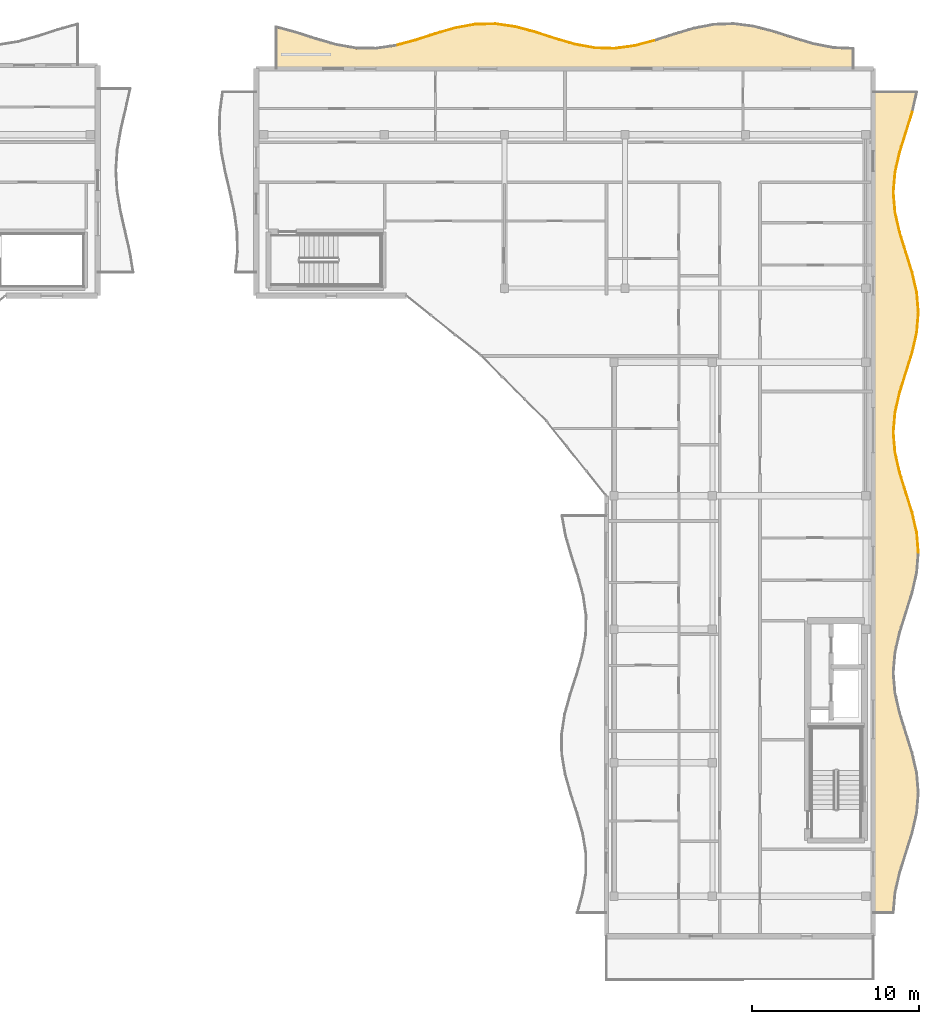
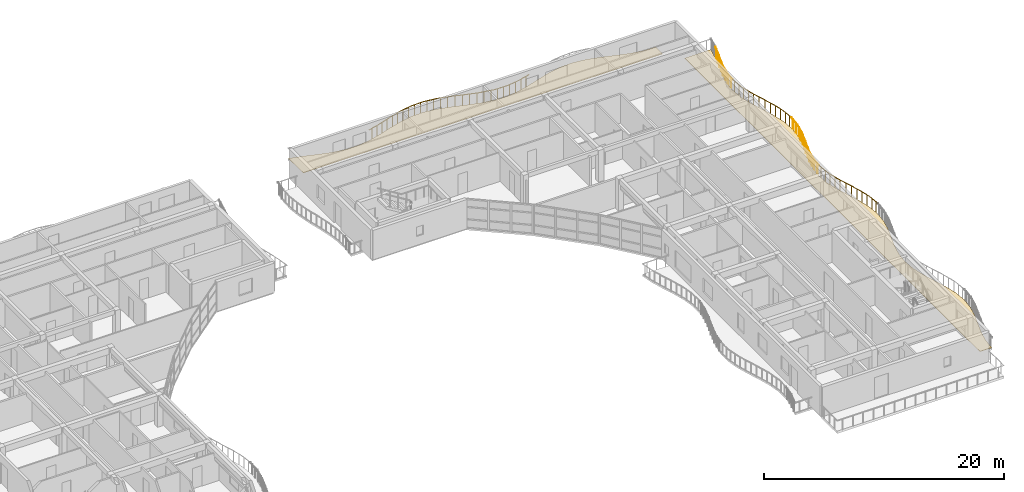
# One storey, part 29 of 30: 35 railings, 2 coverings.
"""IFC4 building model written with IfcOpenShell, lengths in metres."""

from ifc_helpers import new_model, si_unit, direction, frame, origin, origin_2d, place, context, subcontext, project, spatial, polyline, circle, outline, extrude, material, layer, layer_set, type_object, element, save


model = new_model("IFC4")

# Units and contexts
model_context = context("Model", 3, precision=1e-05, world=origin(), true_north=direction((0.0, 1.0)))
body_context = subcontext(model_context, "Body", "Model", "MODEL_VIEW")
ifc_project = project(units=[si_unit("LENGTHUNIT", "METRE"), si_unit("AREAUNIT", "SQUARE_METRE"), si_unit("VOLUMEUNIT", "CUBIC_METRE"), si_unit("PLANEANGLEUNIT", "RADIAN"), si_unit("MASSUNIT", "GRAM", prefix="KILO")], contexts=[model_context])

# Site, building, storey
site_placement = place(None, origin())
site = spatial("IfcSite", under=ifc_project, at=site_placement, CompositionType="ELEMENT")
building_placement = place(site_placement, origin())
building = spatial("IfcBuilding", under=site, at=building_placement, Name="Keldmere Railside Commons", CompositionType="ELEMENT")
storey_placement = place(building_placement, frame((0.0, 0.0, 36.159912109375)))
storey = spatial("IfcBuildingStorey", under=building, at=storey_placement, Name="L11", CompositionType="ELEMENT", Elevation=36.159912109375)

# Railings
ifc_material_1 = material(Name="Steel F-24 (S235)", Category="steel")
railing_type = type_object("IfcRailingType", Name="Balcony & Terrace Steel Balustrade 1100", PredefinedType="BALUSTRADE", material=ifc_material_1)
railing_1_placement = place(storey_placement, frame((155.358642578125, 114.989990234375, 0.0)))
element("IfcRailing", 1, at=railing_1_placement, inside=storey, type_object=railing_type, Name="GR-1 GRD-L11-4441", PredefinedType="BALUSTRADE", context=body_context, shape_type="SweptSolid", body=[
    extrude(circle(Radius=0.02392578125, at=origin_2d()), frame((0.0, 0.0, 1.076171875), z_axis=(0.965353979564, 0.260943852467, 0.0), x_axis=(-0.260943852467, 0.965353979564, 0.0)), (0.0, 0.0, 1.0), 1.23583984375),
    extrude(circle(Radius=0.02099609375, at=origin_2d()), frame((0.29833984375, 0.08056640625, 0.0)), (0.0, 0.0, 1.0), 1.048095703125),
    extrude(circle(Radius=0.02099609375, at=origin_2d()), frame((0.894775390625, 0.241943359375, 0.0)), (0.0, 0.0, 1.0), 1.048095703125),
])
railing_2_placement = place(storey_placement, frame((156.5517578125, 115.3125, 0.0)))
element("IfcRailing", 2, at=railing_2_placement, inside=storey, type_object=railing_type, Name="GR-1 GRD-L11-4442", PredefinedType="BALUSTRADE", context=body_context, shape_type="SweptSolid", body=[
    extrude(circle(Radius=0.02392578125, at=origin_2d()), frame((0.0, 0.0, 1.076171875), z_axis=(0.951620484383, 0.307275859291, 0.0), x_axis=(-0.307275859291, 0.951620484383, 0.0)), (0.0, 0.0, 1.0), 1.253662109375),
    extrude(circle(Radius=0.02099609375, at=origin_2d()), frame((0.29833984375, 0.09619140625, 0.0)), (0.0, 0.0, 1.0), 1.048095703125),
    extrude(circle(Radius=0.02099609375, at=origin_2d()), frame((0.894775390625, 0.2890625, 0.0)), (0.0, 0.0, 1.0), 1.048095703125),
])
railing_3_placement = place(storey_placement, frame((157.744873046875, 115.69775390625, 0.0)))
element("IfcRailing", 3, at=railing_3_placement, inside=storey, type_object=railing_type, Name="GR-1 GRD-L11-4443", PredefinedType="BALUSTRADE", context=body_context, shape_type="SweptSolid", body=[
    extrude(circle(Radius=0.02392578125, at=origin_2d()), frame((0.0, 0.0, 1.076171875), z_axis=(0.960388650169, 0.278664028226, 0.0), x_axis=(-0.278664028226, 0.960388650169, 0.0)), (0.0, 0.0, 1.0), 1.242431640625),
    extrude(circle(Radius=0.02099609375, at=origin_2d()), frame((0.29833984375, 0.08642578125, 0.0)), (0.0, 0.0, 1.0), 1.048095703125),
    extrude(circle(Radius=0.02099609375, at=origin_2d()), frame((0.894775390625, 0.259765625, 0.0)), (0.0, 0.0, 1.0), 1.048095703125),
])
railing_4_placement = place(storey_placement, frame((158.93798828125, 116.0439453125, 0.0)))
element("IfcRailing", 4, at=railing_4_placement, inside=storey, type_object=railing_type, Name="GR-1 GRD-L11-4444", PredefinedType="BALUSTRADE", context=body_context, shape_type="SweptSolid", body=[
    extrude(circle(Radius=0.02392578125, at=origin_2d()), frame((0.0, 0.0, 1.076171875), z_axis=(0.984101062435, 0.17760939985, 0.0), x_axis=(-0.17760939985, 0.984101062435, 0.0)), (0.0, 0.0, 1.0), 1.21240234375),
    extrude(circle(Radius=0.02099609375, at=origin_2d()), frame((0.29833984375, 0.0537109375, 0.0)), (0.0, 0.0, 1.0), 1.048095703125),
    extrude(circle(Radius=0.02099609375, at=origin_2d()), frame((0.894775390625, 0.16162109375, 0.0)), (0.0, 0.0, 1.0), 1.048095703125),
])
railing_5_placement = place(storey_placement, frame((160.131103515625, 116.25927734375, 0.0)))
element("IfcRailing", 5, at=railing_5_placement, inside=storey, type_object=railing_type, Name="GR-1 GRD-L11-4445", PredefinedType="BALUSTRADE", context=body_context, shape_type="SweptSolid", body=[
    extrude(circle(Radius=0.02392578125, at=origin_2d()), frame((0.0, 0.0, 1.076171875), z_axis=(0.999737487291, 0.022911929318, 0.0), x_axis=(-0.022911929318, 0.999737487291, 0.0)), (0.0, 0.0, 1.0), 1.193359375),
    extrude(circle(Radius=0.02099609375, at=origin_2d()), frame((0.29833984375, 0.0068359375, 0.0)), (0.0, 0.0, 1.0), 1.048095703125),
    extrude(circle(Radius=0.02099609375, at=origin_2d()), frame((0.894775390625, 0.0205078125, 0.0)), (0.0, 0.0, 1.0), 1.048095703125),
])
railing_6_placement = place(storey_placement, frame((161.32421875, 116.28662109375, 0.0)))
element("IfcRailing", 6, at=railing_6_placement, inside=storey, type_object=railing_type, Name="GR-1 GRD-L11-4446", PredefinedType="BALUSTRADE", context=body_context, shape_type="SweptSolid", body=[
    extrude(circle(Radius=0.02392578125, at=origin_2d()), frame((0.0, 0.0, 1.076171875), z_axis=(0.990259198804, -0.139236199259, 0.0), x_axis=(0.139236199259, 0.990259198804, 0.0)), (0.0, 0.0, 1.0), 1.20458984375),
    extrude(circle(Radius=0.02099609375, at=origin_2d()), frame((0.29833984375, -0.0419921875, 0.0)), (0.0, 0.0, 1.0), 1.048095703125),
    extrude(circle(Radius=0.02099609375, at=origin_2d()), frame((0.89453125, -0.125732421875, 0.0)), (0.0, 0.0, 1.0), 1.048095703125),
])
railing_7_placement = place(storey_placement, frame((162.51708984375, 116.118896484375, 0.0)))
element("IfcRailing", 7, at=railing_7_placement, inside=storey, type_object=railing_type, Name="GR-1 GRD-L11-4447", PredefinedType="BALUSTRADE", context=body_context, shape_type="SweptSolid", body=[
    extrude(circle(Radius=0.02392578125, at=origin_2d()), frame((0.0, 0.0, 1.076171875), z_axis=(0.966146287882, -0.257994865088, 0.0), x_axis=(0.257994865088, 0.966146287882, 0.0)), (0.0, 0.0, 1.0), 1.23486328125),
    extrude(circle(Radius=0.02099609375, at=origin_2d()), frame((0.29833984375, -0.07958984375, 0.0)), (0.0, 0.0, 1.0), 1.048095703125),
    extrude(circle(Radius=0.02099609375, at=origin_2d()), frame((0.894775390625, -0.239013671875, 0.0)), (0.0, 0.0, 1.0), 1.048095703125),
])
railing_8_placement = place(storey_placement, frame((163.710205078125, 115.80029296875, 0.0)))
element("IfcRailing", 8, at=railing_8_placement, inside=storey, type_object=railing_type, Name="GR-1 GRD-L11-4448", PredefinedType="BALUSTRADE", context=body_context, shape_type="SweptSolid", body=[
    extrude(circle(Radius=0.02392578125, at=origin_2d()), frame((0.0, 0.0, 1.076171875), z_axis=(0.95173431164, -0.306923117484, 0.0), x_axis=(0.306923117484, 0.95173431164, 0.0)), (0.0, 0.0, 1.0), 1.253662109375),
    extrude(circle(Radius=0.02099609375, at=origin_2d()), frame((0.29833984375, -0.09619140625, 0.0)), (0.0, 0.0, 1.0), 1.048095703125),
    extrude(circle(Radius=0.02099609375, at=origin_2d()), frame((0.894775390625, -0.28857421875, 0.0)), (0.0, 0.0, 1.0), 1.048095703125),
])
railing_9_placement = place(storey_placement, frame((164.9033203125, 115.41552734375, 0.0)))
element("IfcRailing", 9, at=railing_9_placement, inside=storey, type_object=railing_type, Name="GR-1 GRD-L11-4449", PredefinedType="BALUSTRADE", context=body_context, shape_type="SweptSolid", body=[
    extrude(circle(Radius=0.02392578125, at=origin_2d()), frame((0.0, 0.0, 1.076171875), z_axis=(0.959770968362, -0.280784059893, 0.0), x_axis=(0.280784059893, 0.959770968362, 0.0)), (0.0, 0.0, 1.0), 1.243408203125),
    extrude(circle(Radius=0.02099609375, at=origin_2d()), frame((0.29833984375, -0.08740234375, 0.0)), (0.0, 0.0, 1.0), 1.048095703125),
    extrude(circle(Radius=0.02099609375, at=origin_2d()), frame((0.89501953125, -0.26171875, 0.0)), (0.0, 0.0, 1.0), 1.048095703125),
])
railing_10_placement = place(storey_placement, frame((166.0966796875, 115.06640625, 0.0)))
element("IfcRailing", 10, at=railing_10_placement, inside=storey, type_object=railing_type, Name="GR-1 GRD-L11-4450", PredefinedType="BALUSTRADE", context=body_context, shape_type="SweptSolid", body=[
    extrude(circle(Radius=0.02392578125, at=origin_2d()), frame((0.0, 0.0, 1.076171875), z_axis=(0.983245962546, -0.182283781884, 0.0), x_axis=(0.182283781884, 0.983245962546, 0.0)), (0.0, 0.0, 1.0), 1.21337890625),
    extrude(circle(Radius=0.02099609375, at=origin_2d()), frame((0.29833984375, -0.05517578125, 0.0)), (0.0, 0.0, 1.0), 1.048095703125),
    extrude(circle(Radius=0.02099609375, at=origin_2d()), frame((0.894775390625, -0.166015625, 0.0)), (0.0, 0.0, 1.0), 1.048095703125),
])
railing_11_placement = place(storey_placement, frame((167.289794921875, 114.84521484375, 0.0)))
element("IfcRailing", 11, at=railing_11_placement, inside=storey, type_object=railing_type, Name="GR-1 GRD-L11-4451", PredefinedType="BALUSTRADE", context=body_context, shape_type="SweptSolid", body=[
    extrude(circle(Radius=0.02392578125, at=origin_2d()), frame((0.0, 0.0, 1.076171875), z_axis=(0.999589914714, -0.028635684072, 0.0), x_axis=(0.028635684072, 0.999589914714, 0.0)), (0.0, 0.0, 1.0), 1.193603515625),
    extrude(circle(Radius=0.02099609375, at=origin_2d()), frame((0.29833984375, -0.008544921875, 0.0)), (0.0, 0.0, 1.0), 1.048095703125),
    extrude(circle(Radius=0.02099609375, at=origin_2d()), frame((0.894775390625, -0.025634765625, 0.0)), (0.0, 0.0, 1.0), 1.048095703125),
])
railing_12_placement = place(storey_placement, frame((168.48291015625, 114.81103515625, 0.0)))
element("IfcRailing", 12, at=railing_12_placement, inside=storey, type_object=railing_type, Name="GR-1 GRD-L11-4452", PredefinedType="BALUSTRADE", context=body_context, shape_type="SweptSolid", body=[
    extrude(circle(Radius=0.02392578125, at=origin_2d()), frame((0.0, 0.0, 1.076171875), z_axis=(0.990972778043, 0.134063243202, 0.0), x_axis=(-0.134063243202, 0.990972778043, 0.0)), (0.0, 0.0, 1.0), 1.203857421875),
    extrude(circle(Radius=0.02099609375, at=origin_2d()), frame((0.29833984375, 0.040283203125, 0.0)), (0.0, 0.0, 1.0), 1.048095703125),
    extrude(circle(Radius=0.02099609375, at=origin_2d()), frame((0.89453125, 0.12109375, 0.0)), (0.0, 0.0, 1.0), 1.048095703125),
])
railing_13_placement = place(storey_placement, frame((169.67578125, 114.972412109375, 0.0)))
element("IfcRailing", 13, at=railing_13_placement, inside=storey, type_object=railing_type, Name="GR-1 GRD-L11-4453", PredefinedType="BALUSTRADE", context=body_context, shape_type="SweptSolid", body=[
    extrude(circle(Radius=0.02392578125, at=origin_2d()), frame((0.0, 0.0, 1.076171875), z_axis=(0.966930859712, 0.255038649104, 0.0), x_axis=(-0.255038649104, 0.966930859712, 0.0)), (0.0, 0.0, 1.0), 1.23388671875),
    extrude(circle(Radius=0.02099609375, at=origin_2d()), frame((0.29833984375, 0.07861328125, 0.0)), (0.0, 0.0, 1.0), 1.048095703125),
    extrude(circle(Radius=0.02099609375, at=origin_2d()), frame((0.894775390625, 0.236083984375, 0.0)), (0.0, 0.0, 1.0), 1.048095703125),
])
railing_14_placement = place(storey_placement, frame((186.699951171875, 84.60009765625, 0.0)))
element("IfcRailing", 14, at=railing_14_placement, inside=storey, type_object=railing_type, Name="GR-1 GRD-L11-4506", PredefinedType="BALUSTRADE", context=body_context, shape_type="SweptSolid", body=[
    extrude(circle(Radius=0.02392578125, at=origin_2d()), frame((0.0, 0.0, 1.076171875), z_axis=(-0.084739877729, 0.996403107744, 0.0), x_axis=(-0.996403107744, -0.084739877729, 0.0)), (0.0, 0.0, 1.0), 1.204345703125),
    extrude(circle(Radius=0.02099609375, at=origin_2d()), frame((-0.025390625, 0.300048828125, 0.0)), (0.0, 0.0, 1.0), 1.048095703125),
    extrude(circle(Radius=0.02099609375, at=origin_2d()), frame((-0.07666015625, 0.89990234375, 0.0)), (0.0, 0.0, 1.0), 1.048095703125),
])
railing_15_placement = place(storey_placement, frame((186.597900390625, 85.800048828125, 0.0)))
element("IfcRailing", 15, at=railing_15_placement, inside=storey, type_object=railing_type, Name="GR-1 GRD-L11-4507", PredefinedType="BALUSTRADE", context=body_context, shape_type="SweptSolid", body=[
    extrude(circle(Radius=0.02392578125, at=origin_2d()), frame((0.0, 0.0, 1.076171875), z_axis=(-0.224062946507, 0.974574674411, 0.0), x_axis=(-0.974574674411, -0.224062946507, 0.0)), (0.0, 0.0, 1.0), 1.231201171875),
    extrude(circle(Radius=0.02099609375, at=origin_2d()), frame((-0.06884765625, 0.300048828125, 0.0)), (0.0, 0.0, 1.0), 1.048095703125),
    extrude(circle(Radius=0.02099609375, at=origin_2d()), frame((-0.20703125, 0.89990234375, 0.0)), (0.0, 0.0, 1.0), 1.048095703125),
])
railing_16_placement = place(storey_placement, frame((186.322021484375, 87.0, 0.0)))
element("IfcRailing", 16, at=railing_16_placement, inside=storey, type_object=railing_type, Name="GR-1 GRD-L11-4508", PredefinedType="BALUSTRADE", context=body_context, shape_type="SweptSolid", body=[
    extrude(circle(Radius=0.02392578125, at=origin_2d()), frame((0.0, 0.0, 1.076171875), z_axis=(-0.298462953287, 0.954421220172, 0.0), x_axis=(-0.954421220172, -0.298462953287, 0.0)), (0.0, 0.0, 1.0), 1.25732421875),
    extrude(circle(Radius=0.02099609375, at=origin_2d()), frame((-0.09375, 0.300048828125, 0.0)), (0.0, 0.0, 1.0), 1.048095703125),
    extrude(circle(Radius=0.02099609375, at=origin_2d()), frame((-0.281494140625, 0.89990234375, 0.0)), (0.0, 0.0, 1.0), 1.048095703125),
])
railing_17_placement = place(storey_placement, frame((185.94677734375, 88.199951171875, 0.0)))
element("IfcRailing", 17, at=railing_17_placement, inside=storey, type_object=railing_type, Name="GR-1 GRD-L11-4509", PredefinedType="BALUSTRADE", context=body_context, shape_type="SweptSolid", body=[
    extrude(circle(Radius=0.02392578125, at=origin_2d()), frame((0.0, 0.0, 1.076171875), z_axis=(-0.298109117121, 0.954531798469, 0.0), x_axis=(-0.954531798469, -0.298109117121, 0.0)), (0.0, 0.0, 1.0), 1.257080078125),
    extrude(circle(Radius=0.02099609375, at=origin_2d()), frame((-0.09375, 0.300048828125, 0.0)), (0.0, 0.0, 1.0), 1.048095703125),
    extrude(circle(Radius=0.02099609375, at=origin_2d()), frame((-0.281005859375, 0.89990234375, 0.0)), (0.0, 0.0, 1.0), 1.048095703125),
])
railing_18_placement = place(storey_placement, frame((185.572021484375, 89.39990234375, 0.0)))
element("IfcRailing", 18, at=railing_18_placement, inside=storey, type_object=railing_type, Name="GR-1 GRD-L11-4510", PredefinedType="BALUSTRADE", context=body_context, shape_type="SweptSolid", body=[
    extrude(circle(Radius=0.02392578125, at=origin_2d()), frame((0.0, 0.0, 1.076171875), z_axis=(-0.221946858464, 0.975058763367, 0.0), x_axis=(-0.975058763367, -0.221946858464, 0.0)), (0.0, 0.0, 1.0), 1.23095703125),
    extrude(circle(Radius=0.02099609375, at=origin_2d()), frame((-0.068359375, 0.300048828125, 0.0)), (0.0, 0.0, 1.0), 1.048095703125),
    extrude(circle(Radius=0.02099609375, at=origin_2d()), frame((-0.204833984375, 0.900146484375, 0.0)), (0.0, 0.0, 1.0), 1.048095703125),
])
railing_19_placement = place(storey_placement, frame((185.298828125, 90.60009765625, 0.0)))
element("IfcRailing", 19, at=railing_19_placement, inside=storey, type_object=railing_type, Name="GR-1 GRD-L11-4511", PredefinedType="BALUSTRADE", context=body_context, shape_type="SweptSolid", body=[
    extrude(circle(Radius=0.02392578125, at=origin_2d()), frame((0.0, 0.0, 1.076171875), z_axis=(-0.082122484008, 0.996622244193, 0.0), x_axis=(-0.996622244193, -0.082122484008, 0.0)), (0.0, 0.0, 1.0), 1.2041015625),
    extrude(circle(Radius=0.02099609375, at=origin_2d()), frame((-0.024658203125, 0.300048828125, 0.0)), (0.0, 0.0, 1.0), 1.048095703125),
    extrude(circle(Radius=0.02099609375, at=origin_2d()), frame((-0.07421875, 0.89990234375, 0.0)), (0.0, 0.0, 1.0), 1.048095703125),
])
railing_20_placement = place(storey_placement, frame((185.199951171875, 91.800048828125, 0.0)))
element("IfcRailing", 20, at=railing_20_placement, inside=storey, type_object=railing_type, Name="GR-1 GRD-L11-4512", PredefinedType="BALUSTRADE", context=body_context, shape_type="SweptSolid", body=[
    extrude(circle(Radius=0.02392578125, at=origin_2d()), frame((0.0, 0.0, 1.076171875), z_axis=(0.084739877729, 0.996403107744, 0.0), x_axis=(-0.996403107744, 0.084739877729, 0.0)), (0.0, 0.0, 1.0), 1.204345703125),
    extrude(circle(Radius=0.02099609375, at=origin_2d()), frame((0.025390625, 0.300048828125, 0.0)), (0.0, 0.0, 1.0), 1.048095703125),
    extrude(circle(Radius=0.02099609375, at=origin_2d()), frame((0.07666015625, 0.89990234375, 0.0)), (0.0, 0.0, 1.0), 1.048095703125),
])
railing_21_placement = place(storey_placement, frame((185.302001953125, 93.0, 0.0)))
element("IfcRailing", 21, at=railing_21_placement, inside=storey, type_object=railing_type, Name="GR-1 GRD-L11-4513", PredefinedType="BALUSTRADE", context=body_context, shape_type="SweptSolid", body=[
    extrude(circle(Radius=0.02392578125, at=origin_2d()), frame((0.0, 0.0, 1.076171875), z_axis=(0.224062946507, 0.974574674411, 0.0), x_axis=(-0.974574674411, 0.224062946507, 0.0)), (0.0, 0.0, 1.0), 1.231201171875),
    extrude(circle(Radius=0.02099609375, at=origin_2d()), frame((0.06884765625, 0.300048828125, 0.0)), (0.0, 0.0, 1.0), 1.048095703125),
    extrude(circle(Radius=0.02099609375, at=origin_2d()), frame((0.20703125, 0.89990234375, 0.0)), (0.0, 0.0, 1.0), 1.048095703125),
])
railing_22_placement = place(storey_placement, frame((185.577880859375, 94.199951171875, 0.0)))
element("IfcRailing", 22, at=railing_22_placement, inside=storey, type_object=railing_type, Name="GR-1 GRD-L11-4514", PredefinedType="BALUSTRADE", context=body_context, shape_type="SweptSolid", body=[
    extrude(circle(Radius=0.02392578125, at=origin_2d()), frame((0.0, 0.0, 1.076171875), z_axis=(0.298639825242, 0.954365891459, 0.0), x_axis=(-0.954365891459, 0.298639825242, 0.0)), (0.0, 0.0, 1.0), 1.25732421875),
    extrude(circle(Radius=0.02099609375, at=origin_2d()), frame((0.09375, 0.300048828125, 0.0)), (0.0, 0.0, 1.0), 1.048095703125),
    extrude(circle(Radius=0.02099609375, at=origin_2d()), frame((0.28173828125, 0.89990234375, 0.0)), (0.0, 0.0, 1.0), 1.048095703125),
])
railing_23_placement = place(storey_placement, frame((185.953369140625, 95.39990234375, 0.0)))
element("IfcRailing", 23, at=railing_23_placement, inside=storey, type_object=railing_type, Name="GR-1 GRD-L11-4515", PredefinedType="BALUSTRADE", context=body_context, shape_type="SweptSolid", body=[
    extrude(circle(Radius=0.02392578125, at=origin_2d()), frame((0.0, 0.0, 1.076171875), z_axis=(0.297876926329, 0.954604282811, 0.0), x_axis=(-0.954604282811, 0.297876926329, 0.0)), (0.0, 0.0, 1.0), 1.25732421875),
    extrude(circle(Radius=0.02099609375, at=origin_2d()), frame((0.09375, 0.300048828125, 0.0)), (0.0, 0.0, 1.0), 1.048095703125),
    extrude(circle(Radius=0.02099609375, at=origin_2d()), frame((0.28076171875, 0.900146484375, 0.0)), (0.0, 0.0, 1.0), 1.048095703125),
])
railing_24_placement = place(storey_placement, frame((186.327880859375, 96.60009765625, 0.0)))
element("IfcRailing", 24, at=railing_24_placement, inside=storey, type_object=railing_type, Name="GR-1 GRD-L11-4516", PredefinedType="BALUSTRADE", context=body_context, shape_type="SweptSolid", body=[
    extrude(circle(Radius=0.02392578125, at=origin_2d()), frame((0.0, 0.0, 1.076171875), z_axis=(0.222178384067, 0.97500603365, 0.0), x_axis=(-0.97500603365, 0.222178384067, 0.0)), (0.0, 0.0, 1.0), 1.230712890625),
    extrude(circle(Radius=0.02099609375, at=origin_2d()), frame((0.068359375, 0.300048828125, 0.0)), (0.0, 0.0, 1.0), 1.048095703125),
    extrude(circle(Radius=0.02099609375, at=origin_2d()), frame((0.205078125, 0.89990234375, 0.0)), (0.0, 0.0, 1.0), 1.048095703125),
])
railing_25_placement = place(storey_placement, frame((186.601318359375, 97.800048828125, 0.0)))
element("IfcRailing", 25, at=railing_25_placement, inside=storey, type_object=railing_type, Name="GR-1 GRD-L11-4517", PredefinedType="BALUSTRADE", context=body_context, shape_type="SweptSolid", body=[
    extrude(circle(Radius=0.02392578125, at=origin_2d()), frame((0.0, 0.0, 1.076171875), z_axis=(0.081921074928, 0.996638819976, 0.0), x_axis=(-0.996638819976, 0.081921074928, 0.0)), (0.0, 0.0, 1.0), 1.2041015625),
    extrude(circle(Radius=0.02099609375, at=origin_2d()), frame((0.024658203125, 0.300048828125, 0.0)), (0.0, 0.0, 1.0), 1.048095703125),
    extrude(circle(Radius=0.02099609375, at=origin_2d()), frame((0.073974609375, 0.89990234375, 0.0)), (0.0, 0.0, 1.0), 1.048095703125),
])
railing_26_placement = place(storey_placement, frame((186.699951171875, 99.0, 0.0)))
element("IfcRailing", 26, at=railing_26_placement, inside=storey, type_object=railing_type, Name="GR-1 GRD-L11-4518", PredefinedType="BALUSTRADE", context=body_context, shape_type="SweptSolid", body=[
    extrude(circle(Radius=0.02392578125, at=origin_2d()), frame((0.0, 0.0, 1.076171875), z_axis=(-0.084739877729, 0.996403107744, 0.0), x_axis=(-0.996403107744, -0.084739877729, 0.0)), (0.0, 0.0, 1.0), 1.204345703125),
    extrude(circle(Radius=0.02099609375, at=origin_2d()), frame((-0.025390625, 0.300048828125, 0.0)), (0.0, 0.0, 1.0), 1.048095703125),
    extrude(circle(Radius=0.02099609375, at=origin_2d()), frame((-0.07666015625, 0.89990234375, 0.0)), (0.0, 0.0, 1.0), 1.048095703125),
])
railing_27_placement = place(storey_placement, frame((186.597900390625, 100.199951171875, 0.0)))
element("IfcRailing", 27, at=railing_27_placement, inside=storey, type_object=railing_type, Name="GR-1 GRD-L11-4519", PredefinedType="BALUSTRADE", context=body_context, shape_type="SweptSolid", body=[
    extrude(circle(Radius=0.02392578125, at=origin_2d()), frame((0.0, 0.0, 1.076171875), z_axis=(-0.224062946507, 0.974574674411, 0.0), x_axis=(-0.974574674411, -0.224062946507, 0.0)), (0.0, 0.0, 1.0), 1.231201171875),
    extrude(circle(Radius=0.02099609375, at=origin_2d()), frame((-0.06884765625, 0.300048828125, 0.0)), (0.0, 0.0, 1.0), 1.048095703125),
    extrude(circle(Radius=0.02099609375, at=origin_2d()), frame((-0.20703125, 0.89990234375, 0.0)), (0.0, 0.0, 1.0), 1.048095703125),
])
railing_28_placement = place(storey_placement, frame((186.322021484375, 101.39990234375, 0.0)))
element("IfcRailing", 28, at=railing_28_placement, inside=storey, type_object=railing_type, Name="GR-1 GRD-L11-4520", PredefinedType="BALUSTRADE", context=body_context, shape_type="SweptSolid", body=[
    extrude(circle(Radius=0.02392578125, at=origin_2d()), frame((0.0, 0.0, 1.076171875), z_axis=(-0.298407647505, 0.954438513426, 0.0), x_axis=(-0.954438513426, -0.298407647505, 0.0)), (0.0, 0.0, 1.0), 1.257568359375),
    extrude(circle(Radius=0.02099609375, at=origin_2d()), frame((-0.09375, 0.300048828125, 0.0)), (0.0, 0.0, 1.0), 1.048095703125),
    extrude(circle(Radius=0.02099609375, at=origin_2d()), frame((-0.281494140625, 0.900146484375, 0.0)), (0.0, 0.0, 1.0), 1.048095703125),
])
railing_29_placement = place(storey_placement, frame((185.94677734375, 102.60009765625, 0.0)))
element("IfcRailing", 29, at=railing_29_placement, inside=storey, type_object=railing_type, Name="GR-1 GRD-L11-4521", PredefinedType="BALUSTRADE", context=body_context, shape_type="SweptSolid", body=[
    extrude(circle(Radius=0.02392578125, at=origin_2d()), frame((0.0, 0.0, 1.076171875), z_axis=(-0.298109117121, 0.954531798469, 0.0), x_axis=(-0.954531798469, -0.298109117121, 0.0)), (0.0, 0.0, 1.0), 1.257080078125),
    extrude(circle(Radius=0.02099609375, at=origin_2d()), frame((-0.09375, 0.300048828125, 0.0)), (0.0, 0.0, 1.0), 1.048095703125),
    extrude(circle(Radius=0.02099609375, at=origin_2d()), frame((-0.281005859375, 0.89990234375, 0.0)), (0.0, 0.0, 1.0), 1.048095703125),
])
railing_30_placement = place(storey_placement, frame((185.572021484375, 103.800048828125, 0.0)))
element("IfcRailing", 30, at=railing_30_placement, inside=storey, type_object=railing_type, Name="GR-1 GRD-L11-4522", PredefinedType="BALUSTRADE", context=body_context, shape_type="SweptSolid", body=[
    extrude(circle(Radius=0.02392578125, at=origin_2d()), frame((0.0, 0.0, 1.076171875), z_axis=(-0.221989790405, 0.975048990029, 0.0), x_axis=(-0.975048990029, -0.221989790405, 0.0)), (0.0, 0.0, 1.0), 1.230712890625),
    extrude(circle(Radius=0.02099609375, at=origin_2d()), frame((-0.068359375, 0.300048828125, 0.0)), (0.0, 0.0, 1.0), 1.048095703125),
    extrude(circle(Radius=0.02099609375, at=origin_2d()), frame((-0.204833984375, 0.89990234375, 0.0)), (0.0, 0.0, 1.0), 1.048095703125),
])
railing_31_placement = place(storey_placement, frame((185.298828125, 105.0, 0.0)))
element("IfcRailing", 31, at=railing_31_placement, inside=storey, type_object=railing_type, Name="GR-1 GRD-L11-4523", PredefinedType="BALUSTRADE", context=body_context, shape_type="SweptSolid", body=[
    extrude(circle(Radius=0.02392578125, at=origin_2d()), frame((0.0, 0.0, 1.076171875), z_axis=(-0.082122484008, 0.996622244193, 0.0), x_axis=(-0.996622244193, -0.082122484008, 0.0)), (0.0, 0.0, 1.0), 1.2041015625),
    extrude(circle(Radius=0.02099609375, at=origin_2d()), frame((-0.024658203125, 0.300048828125, 0.0)), (0.0, 0.0, 1.0), 1.048095703125),
    extrude(circle(Radius=0.02099609375, at=origin_2d()), frame((-0.07421875, 0.89990234375, 0.0)), (0.0, 0.0, 1.0), 1.048095703125),
])
railing_32_placement = place(storey_placement, frame((185.199951171875, 106.199951171875, 0.0)))
element("IfcRailing", 32, at=railing_32_placement, inside=storey, type_object=railing_type, Name="GR-1 GRD-L11-4524", PredefinedType="BALUSTRADE", context=body_context, shape_type="SweptSolid", body=[
    extrude(circle(Radius=0.02392578125, at=origin_2d()), frame((0.0, 0.0, 1.076171875), z_axis=(0.084739877729, 0.996403107744, 0.0), x_axis=(-0.996403107744, 0.084739877729, 0.0)), (0.0, 0.0, 1.0), 1.204345703125),
    extrude(circle(Radius=0.02099609375, at=origin_2d()), frame((0.025390625, 0.300048828125, 0.0)), (0.0, 0.0, 1.0), 1.048095703125),
    extrude(circle(Radius=0.02099609375, at=origin_2d()), frame((0.07666015625, 0.89990234375, 0.0)), (0.0, 0.0, 1.0), 1.048095703125),
])
railing_33_placement = place(storey_placement, frame((185.302001953125, 107.39990234375, 0.0)))
element("IfcRailing", 33, at=railing_33_placement, inside=storey, type_object=railing_type, Name="GR-1 GRD-L11-4525", PredefinedType="BALUSTRADE", context=body_context, shape_type="SweptSolid", body=[
    extrude(circle(Radius=0.02392578125, at=origin_2d()), frame((0.0, 0.0, 1.076171875), z_axis=(0.224019655762, 0.974584626306, 0.0), x_axis=(-0.974584626306, 0.224019655762, 0.0)), (0.0, 0.0, 1.0), 1.2314453125),
    extrude(circle(Radius=0.02099609375, at=origin_2d()), frame((0.06884765625, 0.300048828125, 0.0)), (0.0, 0.0, 1.0), 1.048095703125),
    extrude(circle(Radius=0.02099609375, at=origin_2d()), frame((0.20703125, 0.900146484375, 0.0)), (0.0, 0.0, 1.0), 1.048095703125),
])
railing_34_placement = place(storey_placement, frame((185.577880859375, 108.60009765625, 0.0)))
element("IfcRailing", 34, at=railing_34_placement, inside=storey, type_object=railing_type, Name="GR-1 GRD-L11-4526", PredefinedType="BALUSTRADE", context=body_context, shape_type="SweptSolid", body=[
    extrude(circle(Radius=0.02392578125, at=origin_2d()), frame((0.0, 0.0, 1.076171875), z_axis=(0.298639825242, 0.954365891459, 0.0), x_axis=(-0.954365891459, 0.298639825242, 0.0)), (0.0, 0.0, 1.0), 1.25732421875),
    extrude(circle(Radius=0.02099609375, at=origin_2d()), frame((0.09375, 0.300048828125, 0.0)), (0.0, 0.0, 1.0), 1.048095703125),
    extrude(circle(Radius=0.02099609375, at=origin_2d()), frame((0.28173828125, 0.89990234375, 0.0)), (0.0, 0.0, 1.0), 1.048095703125),
])
railing_35_placement = place(storey_placement, frame((185.953369140625, 109.800048828125, 0.0)))
element("IfcRailing", 35, at=railing_35_placement, inside=storey, type_object=railing_type, Name="GR-1 GRD-L11-4527", PredefinedType="BALUSTRADE", context=body_context, shape_type="SweptSolid", body=[
    extrude(circle(Radius=0.02392578125, at=origin_2d()), frame((0.0, 0.0, 1.076171875), z_axis=(0.297932152933, 0.954587048021, 0.0), x_axis=(-0.954587048021, 0.297932152933, 0.0)), (0.0, 0.0, 1.0), 1.257080078125),
    extrude(circle(Radius=0.02099609375, at=origin_2d()), frame((0.09375, 0.300048828125, 0.0)), (0.0, 0.0, 1.0), 1.048095703125),
    extrude(circle(Radius=0.02099609375, at=origin_2d()), frame((0.28076171875, 0.89990234375, 0.0)), (0.0, 0.0, 1.0), 1.048095703125),
])

# Coverings
ifc_material_2 = material(Name="White Precast Concrete C35/45", Category="concrete")
ifc_layer = layer(ifc_material_2, 0.044921875, Name="White Architectural Balcony Ribbon Cladding 45")
ifc_layer_set = layer_set([ifc_layer], Name="White Precast Concrete C35/45")
covering_type = type_object("IfcCoveringType", Name="White Architectural Balcony Ribbon Cladding 45", PredefinedType="FLOORING", material=ifc_layer_set)
covering_1_placement = place(storey_placement, origin())
element("IfcCovering", 36, at=covering_1_placement, inside=storey, type_object=covering_type, Name="CLG-WB A L11 N White Balcony Ribbon", PredefinedType="FLOORING", context=body_context, shape_type="SweptSolid", body=[
    extrude(outline(polyline([(182.760009765625, 113.639892578125), (182.760009765625, 114.768310546875), (181.605224609375, 114.81494140625), (181.602294921875, 114.815185546875), (181.599365234375, 114.815673828125), (180.40625, 115.048095703125), (180.40234375, 115.049072265625), (179.209228515625, 115.40380859375), (179.20849609375, 115.404052734375), (178.016357421875, 115.787353515625), (176.826904296875, 116.0966796875), (175.639404296875, 116.251220703125), (174.452880859375, 116.210205078125), (173.2646484375, 115.984375), (172.073974609375, 115.633056640625), (170.88134765625, 115.248779296875), (170.879150390625, 115.248291015625), (169.68603515625, 114.933837890625), (169.681396484375, 114.932861328125), (168.48828125, 114.771484375), (168.48486328125, 114.77099609375), (168.481689453125, 114.77099609375), (167.28857421875, 114.805419921875), (167.285400390625, 114.805419921875), (167.282470703125, 114.805908203125), (166.08935546875, 115.027099609375), (166.08544921875, 115.02783203125), (164.89208984375, 115.377197265625), (164.89111328125, 115.37744140625), (163.698974609375, 115.761962890625), (162.50927734375, 116.07958984375), (161.32177734375, 116.24658203125), (160.135009765625, 116.21923828125), (158.947021484375, 116.0048828125), (157.756591796875, 115.65966796875), (156.56396484375, 115.2744140625), (156.56201171875, 115.27392578125), (155.368896484375, 114.951416015625), (155.364501953125, 114.950439453125), (154.17138671875, 114.776611328125), (154.168212890625, 114.776123046875), (154.164794921875, 114.776123046875), (152.9716796875, 114.79638671875), (152.968505859375, 114.796630859375), (152.965576171875, 114.797119140625), (151.7724609375, 115.006591796875), (151.768310546875, 115.007568359375), (150.5751953125, 115.3505859375), (150.573974609375, 115.350830078125), (149.381591796875, 115.736328125), (148.239990234375, 116.04833984375), (148.239990234375, 113.639892578125), (182.760009765625, 113.639892578125)])), origin(), (0.0, 0.0, 1.0), 0.045166015625),
])
covering_2_placement = place(storey_placement, origin())
element("IfcCovering", 37, at=covering_2_placement, inside=storey, type_object=covering_type, Name="CLG-WB A L11 CE White Balcony Ribbon", PredefinedType="FLOORING", context=body_context, shape_type="SweptSolid", body=[
    extrude(outline(polyline([(185.26220703125, 64.203369140625), (185.26318359375, 64.208984375), (185.538818359375, 65.408935546875), (185.539794921875, 65.411865234375), (185.9150390625, 66.61181640625), (186.289306640625, 67.810302734375), (186.5615234375, 69.006103515625), (186.659912109375, 70.199951171875), (186.558349609375, 71.393798828125), (186.283447265625, 72.589599609375), (185.908447265625, 73.7880859375), (185.533935546875, 74.988037109375), (185.533203125, 74.9912109375), (185.259765625, 76.191162109375), (185.2587890625, 76.19677734375), (185.16015625, 77.396728515625), (185.159912109375, 77.400146484375), (185.16015625, 77.4033203125), (185.26220703125, 78.603515625), (185.26318359375, 78.60888671875), (185.538818359375, 79.80908203125), (185.539794921875, 79.81201171875), (185.9150390625, 81.011962890625), (186.289306640625, 82.21044921875), (186.5615234375, 83.406005859375), (186.659912109375, 84.599853515625), (186.558349609375, 85.793701171875), (186.283447265625, 86.989501953125), (185.908447265625, 88.18798828125), (185.533935546875, 89.38818359375), (185.533203125, 89.39111328125), (185.259765625, 90.591064453125), (185.2587890625, 90.5966796875), (185.16015625, 91.796630859375), (185.159912109375, 91.800048828125), (185.16015625, 91.803466796875), (185.26220703125, 93.00341796875), (185.26318359375, 93.009033203125), (185.538818359375, 94.208984375), (185.539794921875, 94.2119140625), (185.9150390625, 95.411865234375), (186.289306640625, 96.6103515625), (186.5615234375, 97.80615234375), (186.659912109375, 99.0), (186.558349609375, 100.19384765625), (186.283447265625, 101.389404296875), (185.908447265625, 102.588134765625), (185.533935546875, 103.7880859375), (185.533203125, 103.791015625), (185.259765625, 104.9912109375), (185.2587890625, 104.99658203125), (185.16015625, 106.19677734375), (185.159912109375, 106.2001953125), (185.16015625, 106.203369140625), (185.26220703125, 107.4033203125), (185.26318359375, 107.408935546875), (185.538818359375, 108.60888671875), (185.539794921875, 108.61181640625), (185.9150390625, 109.81201171875), (186.289306640625, 111.010498046875), (186.551025390625, 112.159912109375), (184.0400390625, 112.159912109375), (184.0400390625, 63.0400390625), (185.163330078125, 63.0400390625), (185.26220703125, 64.203369140625)])), origin(), (0.0, 0.0, 1.0), 0.045166015625),
])

save(model, "model.ifc")
